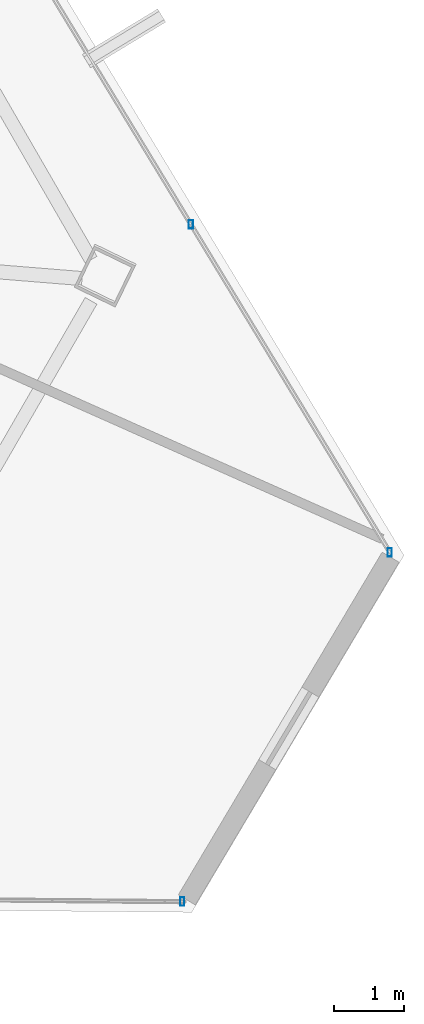
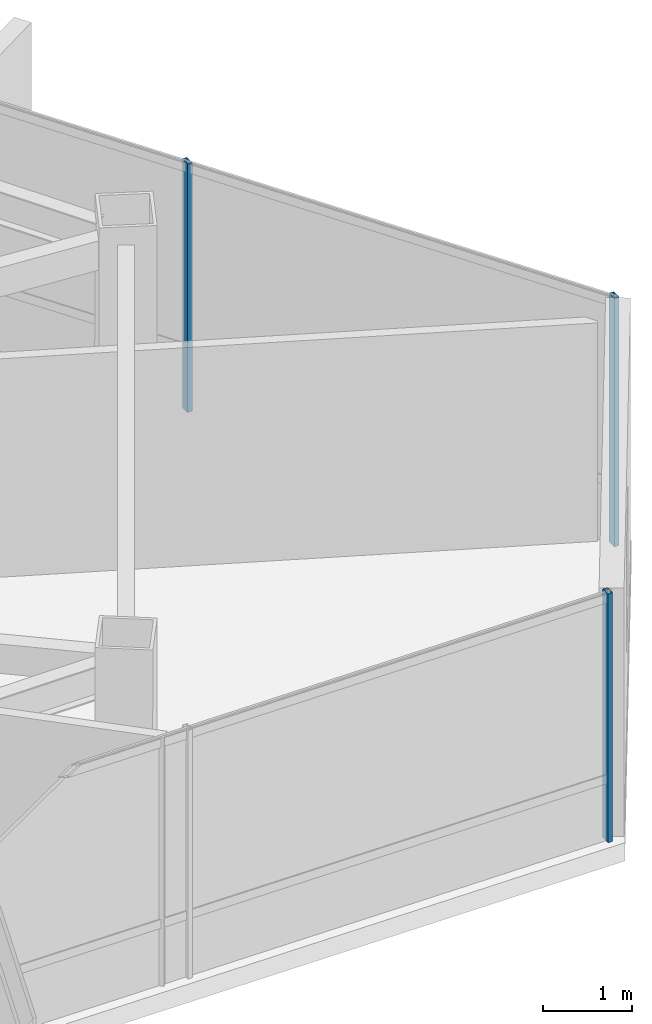
# One storey, part 24 of 45: 3 members, 2 elements without a shape of their own.
"""IFC4 building model written with IfcOpenShell, lengths in metres."""

import ifcopenshell
import ifcopenshell.guid

model = None  # the IFC model being written
_history = None  # IfcOwnerHistory: only IFC2X3 demands one
_inside = {}  # id of a spatial element -> (the spatial element, [elements in it])
_under = {}  # id of a project, library or spatial element -> (it, [spatial elements below it])
_declared = {}  # id of a project -> (the project, [libraries it declares])
_typed = {}  # id of a type object -> (the type object, [elements of that type])
_made_of = {}  # id of a material, layer set ... -> (it, [elements and type objects made of it])


def new_model(schema):
    """Start an empty IFC model of exactly this schema.

    Asked for "IFC4X3", IfcOpenShell would pick the latest addendum, in which some entities
    have other attributes; the version numbers below select the first issue.
    IFC2X3 requires an IfcOwnerHistory on every rooted entity: one is made here for all.
    """
    global model, _history
    if schema == "IFC4X3":
        model = ifcopenshell.file(schema_version=(4, 3, 0, 0))
    else:
        model = ifcopenshell.file(schema=schema)
    _inside.clear()
    _under.clear()
    _declared.clear()
    _typed.clear()
    _made_of.clear()
    _history = None
    if model.schema == "IFC2X3":
        org = make("IfcOrganization", Name="unknown")
        user = make(
            "IfcPersonAndOrganization",
            ThePerson=make("IfcPerson", FamilyName="unknown"),
            TheOrganization=org,
        )
        app = make(
            "IfcApplication",
            ApplicationDeveloper=org,
            Version="unknown",
            ApplicationFullName="unknown",
            ApplicationIdentifier="unknown",
        )
        _history = make(
            "IfcOwnerHistory",
            OwningUser=user,
            OwningApplication=app,
            ChangeAction="ADDED",
            CreationDate=0,
        )
    return model


def make(cls, **values):
    """One entity of the class cls with the attributes given. An attribute that is None is left unset."""
    return model.create_entity(
        cls, **{name: value for name, value in values.items() if value is not None}
    )


def rooted(cls, **values):
    """An entity with a GlobalId (a new one), such as an element, a storey or a relation."""
    return make(cls, GlobalId=ifcopenshell.guid.new(), OwnerHistory=_history, **values)


def si_unit(unit_type, name, prefix=None):
    """IfcSIUnit, for example si_unit("LENGTHUNIT", "METRE", prefix="MILLI")."""
    return make("IfcSIUnit", UnitType=unit_type, Prefix=prefix, Name=name)


def assignment(units):
    """IfcUnitAssignment: the units of a project."""
    return None if units is None else make("IfcUnitAssignment", Units=units)


def point(xyz):
    """IfcCartesianPoint."""
    return None if xyz is None else make("IfcCartesianPoint", Coordinates=xyz)


def direction(xyz):
    """IfcDirection."""
    return None if xyz is None else make("IfcDirection", DirectionRatios=xyz)


def frame(location, z_axis=None, x_axis=None):
    """IfcAxis2Placement3D, a coordinate frame: its origin and axes. An axis left out is left unset."""
    return make(
        "IfcAxis2Placement3D",
        Location=point(location),
        Axis=direction(z_axis),
        RefDirection=direction(x_axis),
    )


def frame_2d(location, x_axis=None):
    """IfcAxis2Placement2D, a coordinate frame in the plane: its origin and x axis."""
    return make(
        "IfcAxis2Placement2D", Location=point(location), RefDirection=direction(x_axis)
    )


def origin():
    """The frame at (0, 0, 0) with its axes left unset."""
    return frame((0.0, 0.0, 0.0))


def origin_2d():
    """The frame at (0, 0) in the plane with its x axis left unset."""
    return frame_2d((0.0, 0.0))


def place(relative_to, where):
    """IfcLocalPlacement: puts the frame where relative to a parent placement (None: the world)."""
    return make(
        "IfcLocalPlacement", PlacementRelTo=relative_to, RelativePlacement=where
    )


def context(
    kind, dimensions, precision=None, world=None, true_north=None, identifier=None
):
    """IfcGeometricRepresentationContext, for example the 3D "Model" context."""
    return make(
        "IfcGeometricRepresentationContext",
        ContextIdentifier=identifier,
        ContextType=kind,
        CoordinateSpaceDimension=dimensions,
        Precision=precision,
        WorldCoordinateSystem=world,
        TrueNorth=true_north,
    )


def subcontext(parent, identifier, kind, view, scale=None):
    """IfcGeometricRepresentationSubContext, for example "Body" below "Model"."""
    return make(
        "IfcGeometricRepresentationSubContext",
        ContextIdentifier=identifier,
        ContextType=kind,
        ParentContext=parent,
        TargetScale=scale,
        TargetView=view,
    )


def project(units=None, contexts=None):
    """IfcProject with its units and contexts."""
    return rooted(
        "IfcProject",
        Name="project",
        RepresentationContexts=contexts,
        UnitsInContext=assignment(units),
    )


def spatial(cls, under=None, at=None, **own):
    """A site, building, storey or space (cls), placed at a placement, below another one or the project."""
    s = rooted(cls, ObjectPlacement=at, **own)
    if under is not None:
        _under.setdefault(under.id(), (under, []))[1].append(s)
    return s


def profile(cls, at=None, kind="AREA", **sizes):
    """A parametric profile (cls). Its sizes go by their IFC names, for example OverallWidth=200.0."""
    return make(cls, ProfileType=kind, Position=at, **sizes)


def hollow_rectangle(**sizes):
    """IfcRectangleHollowProfileDef."""
    return profile("IfcRectangleHollowProfileDef", **sizes)


def extrude(swept, where, along, depth):
    """IfcExtrudedAreaSolid: the profile swept, set in the frame where, extruded along a direction by depth."""
    return make(
        "IfcExtrudedAreaSolid",
        SweptArea=swept,
        Position=where,
        ExtrudedDirection=direction(along),
        Depth=depth,
    )


def shape(context_of_items, identifier, shape_type, items):
    """IfcShapeRepresentation: the items that make up one representation, for example the "Body"."""
    return make(
        "IfcShapeRepresentation",
        ContextOfItems=context_of_items,
        RepresentationIdentifier=identifier,
        RepresentationType=shape_type,
        Items=items,
    )


def source(mapping_origin, context_of_items, identifier, shape_type, items):
    """IfcRepresentationMap: a shape defined once, which mapped items show again and again."""
    return make(
        "IfcRepresentationMap",
        MappingOrigin=mapping_origin,
        MappedRepresentation=shape(context_of_items, identifier, shape_type, items),
    )


def transform(
    local_origin,
    x_axis=None,
    y_axis=None,
    z_axis=None,
    scale=None,
    scale2=None,
    scale3=None,
    uniform=True,
):
    """IfcCartesianTransformationOperator3D, or its non-uniform kind. x_axis, y_axis, z_axis: its Axis1, 2, 3."""
    if uniform:
        return make(
            "IfcCartesianTransformationOperator3D",
            Axis1=direction(x_axis),
            Axis2=direction(y_axis),
            LocalOrigin=point(local_origin),
            Scale=scale,
            Axis3=direction(z_axis),
        )
    return make(
        "IfcCartesianTransformationOperator3DnonUniform",
        Axis1=direction(x_axis),
        Axis2=direction(y_axis),
        LocalOrigin=point(local_origin),
        Scale=scale,
        Axis3=direction(z_axis),
        Scale2=scale2,
        Scale3=scale3,
    )


def mapped(mapping_source, mapping_target):
    """IfcMappedItem: shows the shape of a source again, moved by a transform."""
    return make(
        "IfcMappedItem", MappingSource=mapping_source, MappingTarget=mapping_target
    )


def material(Name=None, Category=None):
    """IfcMaterial."""
    return make("IfcMaterial", Name=Name, Category=Category)


def material_profile(
    of_material, cross_section, Name=None, Category=None, Priority=None
):
    """IfcMaterialProfile: a cross section and its material."""
    return make(
        "IfcMaterialProfile",
        Name=Name,
        Material=of_material,
        Profile=cross_section,
        Priority=Priority,
        Category=Category,
    )


def profile_set(profiles, Name=None, composite=None):
    """IfcMaterialProfileSet."""
    return make(
        "IfcMaterialProfileSet",
        Name=Name,
        MaterialProfiles=profiles,
        CompositeProfile=composite,
    )


def made_of(thing, what):
    """Note that an element or type object is made of a material, layer set ...; save() writes the relation."""
    if what is not None:
        _made_of.setdefault(what.id(), (what, []))[1].append(thing)
    return thing


def type_object(cls, material=None, **own):
    """A type object (cls), such as IfcWallType, which elements share."""
    return made_of(rooted(cls, **own), material)


def type_shapes(of_type, sources):
    """Give a type object the sources (RepresentationMaps) that its elements show as mapped items."""
    of_type.RepresentationMaps = sources


def element(
    cls,
    number,
    at=None,
    inside=None,
    cuts=None,
    type_object=None,
    material=None,
    context=None,
    identifier="Body",
    shape_type=None,
    held_by="IfcProductDefinitionShape",
    body=None,
    shapes=None,
    **own,
):
    """One element of the class cls, such as IfcWall. Its Tag is "e" and its number.

    at: its placement. inside: the storey or other place that contains it. cuts: it is an
    opening in that element (IfcRelVoidsElement). A single representation is given by context,
    identifier, shape_type and body (its items); several are given by shapes. held_by: the class
    of the entity that holds the representations. save() writes the other relations.
    """
    e = rooted(cls, Tag="e%d" % number, ObjectPlacement=at, **own)
    if body is not None:
        shapes = [shape(context, identifier, shape_type, body)]
    if shapes is not None:
        e.Representation = make(held_by, Representations=shapes)
    if inside is not None:
        _inside.setdefault(inside.id(), (inside, []))[1].append(e)
    if cuts is not None:
        rooted(
            "IfcRelVoidsElement", RelatingBuildingElement=cuts, RelatedOpeningElement=e
        )
    if type_object is not None:
        _typed.setdefault(type_object.id(), (type_object, []))[1].append(e)
    return made_of(e, material)


def aggregate(whole, parts):
    """IfcRelAggregates: a whole, such as a stair, and the parts it consists of."""
    return rooted("IfcRelAggregates", RelatingObject=whole, RelatedObjects=parts)


def save(model, path):
    """Write the relations noted so far, then the file.

    IfcRelAggregates (storeys below a building ...), IfcRelContainedInSpatialStructure (elements
    in a storey), IfcRelDefinesByType, IfcRelAssociatesMaterial and IfcRelDeclares: one each for
    every whole, place, type object, material and project.
    """
    for whole, parts in _under.values():
        aggregate(whole, parts)
    for where, things in _inside.values():
        rooted(
            "IfcRelContainedInSpatialStructure",
            RelatedElements=things,
            RelatingStructure=where,
        )
    for kind, things in _typed.values():
        rooted("IfcRelDefinesByType", RelatedObjects=things, RelatingType=kind)
    for what, things in _made_of.values():
        rooted("IfcRelAssociatesMaterial", RelatedObjects=things, RelatingMaterial=what)
    for by, libraries in _declared.values():
        rooted("IfcRelDeclares", RelatingContext=by, RelatedDefinitions=libraries)
    model.write(path)


model = new_model("IFC4")

# Units and contexts
model_context = context("Model", 3, precision=1e-05, world=origin(), true_north=direction((0.0, 1.0)))
body_context = subcontext(model_context, "Body", "Model", "MODEL_VIEW")
ifc_project = project(units=[si_unit("LENGTHUNIT", "METRE"), si_unit("AREAUNIT", "SQUARE_METRE"), si_unit("VOLUMEUNIT", "CUBIC_METRE"), si_unit("PLANEANGLEUNIT", "RADIAN"), si_unit("MASSUNIT", "GRAM", prefix="KILO")], contexts=[model_context])

# Site, building, storey
site_placement = place(None, origin())
site = spatial("IfcSite", under=ifc_project, at=site_placement, CompositionType="ELEMENT")
building_placement = place(site_placement, origin())
building = spatial("IfcBuilding", under=site, at=building_placement, Name="Caelisora Broadcast Tower", CompositionType="ELEMENT")
storey_placement = place(building_placement, frame((0.0, 0.0, 240.800048828125)))
storey = spatial("IfcBuildingStorey", under=building, at=storey_placement, Name="L63", CompositionType="ELEMENT", Elevation=240.800048828125)

# Curtain wall, members
ifc_material_1 = material(Name="Unitised Aluminium and Low-E Glass Curtain Wall", Category="glass")
curtain_wall_type = type_object("IfcCurtainWallType", Name="CW-Z5", PredefinedType="NOTDEFINED", material=ifc_material_1)
curtain_wall_1_placement = place(storey_placement, origin())
curtain_wall_1 = element("IfcCurtainWall", 1, at=curtain_wall_1_placement, inside=storey, type_object=curtain_wall_type, Name="L63 curtain wall CW-Z5", PredefinedType="NOTDEFINED")
ifc_material_2 = material(Name="Aluminium 6063-T6 Anodised Terracotta Bronze", Category="aluminium")
ifc_material_profile = material_profile(ifc_material_2, hollow_rectangle(XDim=0.06005859375, YDim=0.1201171875, WallThickness=0.0029296875, at=origin_2d()), Name="Aluminium 6063-T6 Anodised Terracotta Bronze")
ifc_profile_set = profile_set([ifc_material_profile], Name="Aluminium 6063-T6 Anodised Terracotta Bronze")
member_type = type_object("IfcMemberType", Name="CWM-04", PredefinedType="MULLION", material=ifc_profile_set)
shared_shape = source(origin(), body_context, "Body", "SweptSolid", [
    extrude(hollow_rectangle(XDim=0.06005859375, YDim=0.1201171875, WallThickness=0.0029296875, at=origin_2d()), origin(), (0.0, 0.0, 1.0), 3.39990234375),
])
type_shapes(member_type, [shared_shape])
member_1_placement = place(storey_placement, frame((60.9345703125, 17.044921875, 0.0), z_axis=(0.0, 0.0, 1.0), x_axis=(1.0, 0.0, 0.0)))
member_1 = element("IfcMember", 2, at=member_1_placement, type_object=member_type, Name="L63-CW-B03 mullion #2", PredefinedType="MULLION", context=body_context, shape_type="MappedRepresentation", body=[
    mapped(shared_shape, transform((0.0, 0.0, 0.0), scale=1.0)),
])
member_2_placement = place(storey_placement, frame((63.76220703125, 12.3837890625, 0.0), z_axis=(0.0, 0.0, 1.0), x_axis=(1.0, 0.0, 0.0)))
member_2 = element("IfcMember", 3, at=member_2_placement, type_object=member_type, Name="L63-CW-B03 mullion #3", PredefinedType="MULLION", context=body_context, shape_type="MappedRepresentation", body=[
    mapped(shared_shape, transform((0.0, 0.0, 0.0), scale=1.0)),
])
aggregate(curtain_wall_1, [member_1, member_2])

# Curtain wall, member
curtain_wall_2_placement = place(storey_placement, origin())
curtain_wall_2 = element("IfcCurtainWall", 4, at=curtain_wall_2_placement, inside=storey, type_object=curtain_wall_type, Name="L63 curtain wall CW-Z5", PredefinedType="NOTDEFINED")
member_3_placement = place(storey_placement, frame((60.81201171875, 7.42041015625, 0.0), z_axis=(0.0, 0.0, 1.0), x_axis=(1.0, 0.0, 0.0)))
member_3 = element("IfcMember", 5, at=member_3_placement, type_object=member_type, Name="L63-CW-B05 mullion #0", PredefinedType="MULLION", context=body_context, shape_type="MappedRepresentation", body=[
    mapped(shared_shape, transform((0.0, 0.0, 0.0), scale=1.0)),
])
aggregate(curtain_wall_2, [member_3])

save(model, "model.ifc")
